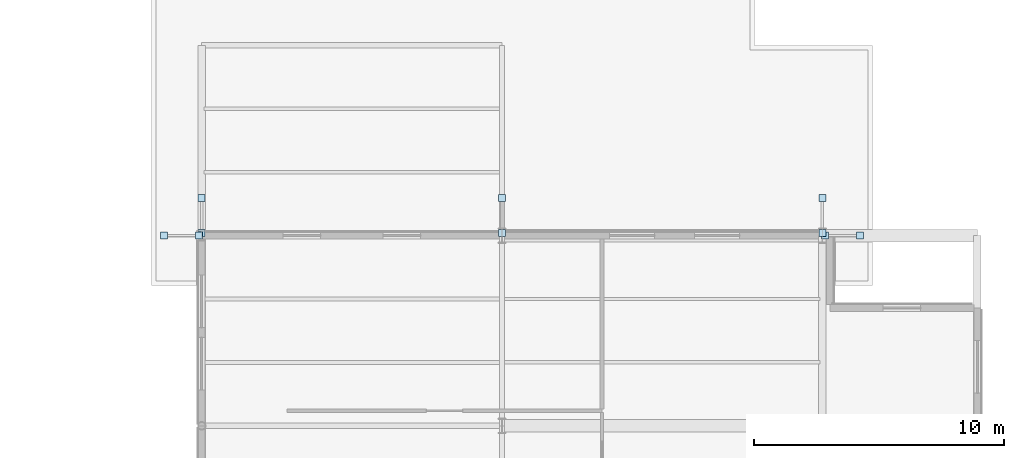
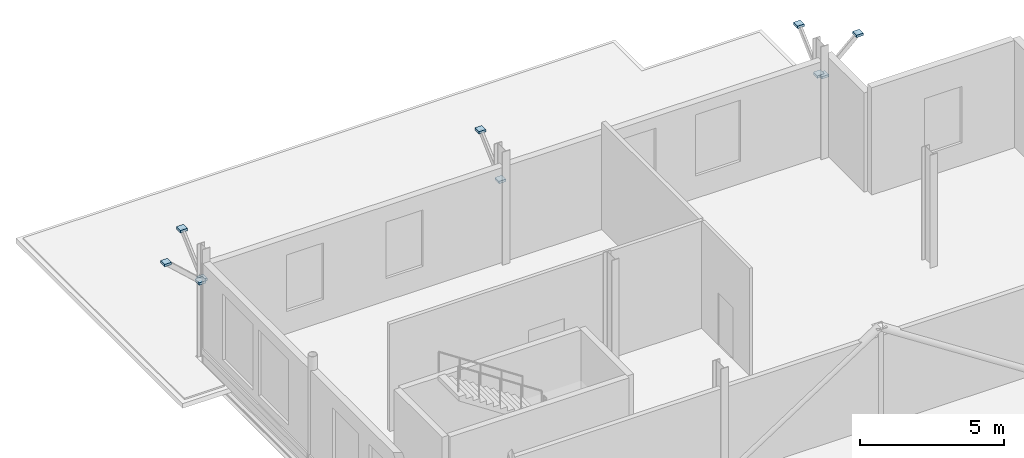
# One storey, part 92 of 120: 10 plates.
"""IFC4 building model written with IfcOpenShell, lengths in metres."""

from ifc_helpers import new_model, si_unit, direction, frame, origin, origin_2d, place, context, subcontext, project, spatial, rectangle, extrude, material, layer, layer_set, type_object, element, save


model = new_model("IFC4")

# Units and contexts
model_context = context("Model", 3, precision=1e-05, world=origin(), true_north=direction((0.0, 1.0)))
body_context = subcontext(model_context, "Body", "Model", "MODEL_VIEW")
ifc_project = project(units=[si_unit("LENGTHUNIT", "METRE"), si_unit("AREAUNIT", "SQUARE_METRE"), si_unit("VOLUMEUNIT", "CUBIC_METRE"), si_unit("PLANEANGLEUNIT", "RADIAN"), si_unit("MASSUNIT", "GRAM", prefix="KILO")], contexts=[model_context])

# Site, building, storey
site_placement = place(None, origin())
site = spatial("IfcSite", under=ifc_project, at=site_placement, CompositionType="ELEMENT")
building_placement = place(site_placement, origin())
building = spatial("IfcBuilding", under=site, at=building_placement, Name="Vekula Escarpment Museum", CompositionType="ELEMENT")
storey_placement = place(building_placement, frame((0.0, 0.0, 13.199951171875)))
storey = spatial("IfcBuildingStorey", under=building, at=storey_placement, Name="L03", CompositionType="ELEMENT", Elevation=13.199951171875)

# Plates
ifc_material = material(Name="Steel S355", Category="steel")
ifc_layer = layer(ifc_material, 0.01611328125)
ifc_layer_set = layer_set([ifc_layer], Name="Steel S355")
plate_type = type_object("IfcPlateType", Name="PL-CAP-16", PredefinedType="SHEET", material=ifc_layer_set)
for number, where, z_axis, x_axis, name in (
    (1, (166.88525390625, 128.39990234375, 3.294189453125), (0.0, 0.0, 1.0), (1.0, 0.0, 0.0), "Hollow section end cap CP-16"),
    (2, (165.49462890625, 128.39990234375, 4.56396484375), (0.0, 0.0, 1.0), (1.0, 0.0, 0.0), "Hollow section end cap CP-16"),
    (3, (167.0, 128.5146484375, 3.294189453125), (0.0, 0.0, 1.0), (1.0, 0.0, 0.0), "Hollow section end cap CP-16"),
    (4, (167.0, 129.9052734375, 4.56396484375), (0.0, 0.0, 1.0), (1.0, 0.0, 0.0), "Hollow section end cap CP-16"),
    (5, (179.0, 128.5146484375, 3.294189453125), (0.0, 0.0, 1.0), (1.0, 0.0, 0.0), "Hollow section end cap CP-16"),
    (6, (179.0, 129.9052734375, 4.56396484375), (0.0, 0.0, 1.0), (1.0, 0.0, 0.0), "Hollow section end cap CP-16"),
    (7, (191.914794921875, 128.39990234375, 3.294189453125), (0.0, 0.0, 1.0), (1.0, 0.0, 0.0), "Hollow section end cap CP-16"),
    (8, (193.305419921875, 128.39990234375, 4.56396484375), (0.0, 0.0, 1.0), (1.0, 0.0, 0.0), "Hollow section end cap CP-16"),
    (9, (191.800048828125, 128.5146484375, 3.294189453125), (0.0, 0.0, 1.0), (1.0, 0.0, 0.0), "Hollow section end cap CP-16"),
    (10, (191.800048828125, 129.9052734375, 4.56396484375), (0.0, 0.0, 1.0), (1.0, 0.0, 0.0), "Hollow section end cap CP-16"),
):
    element("IfcPlate", number, at=place(storey_placement, frame(where, z_axis=z_axis, x_axis=x_axis)), inside=storey, type_object=plate_type, Name=name, PredefinedType="SHEET", context=body_context, shape_type="SweptSolid", body=[
        extrude(rectangle(XDim=0.280029296875, YDim=0.280029296875, at=origin_2d()), origin(), (0.0, 0.0, 1.0), 0.10205078125),
    ])

save(model, "model.ifc")
